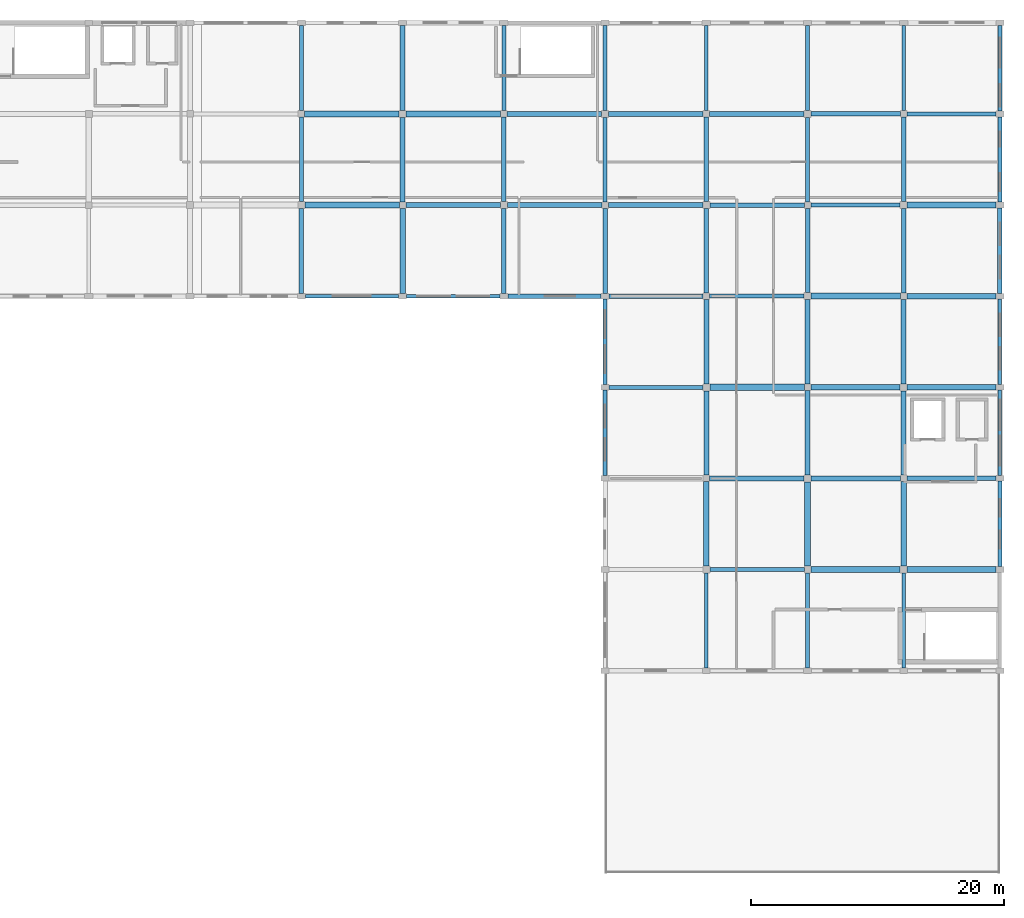
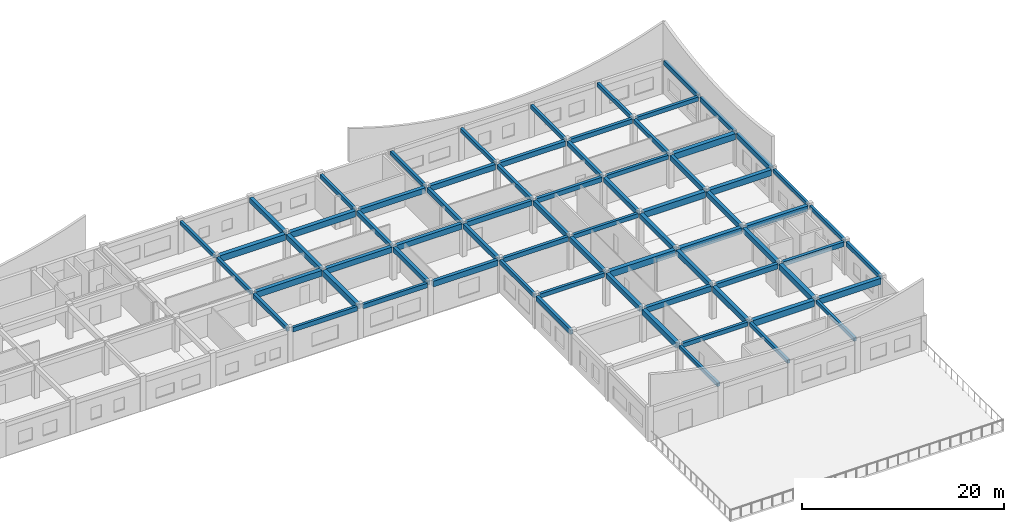
# One storey, part 2 of 10: 72 beams.
"""IFC4 building model written with IfcOpenShell, lengths in metres."""

from ifc_helpers import new_model, si_unit, direction, frame, origin, origin_2d, place, context, subcontext, project, spatial, rectangle, extrude, material, material_profile, profile_set, type_object, element, save


model = new_model("IFC4")

# Units and contexts
model_context = context("Model", 3, precision=1e-05, world=origin(), true_north=direction((0.0, 1.0)))
body_context = subcontext(model_context, "Body", "Model", "MODEL_VIEW")
ifc_project = project(units=[si_unit("LENGTHUNIT", "METRE"), si_unit("AREAUNIT", "SQUARE_METRE"), si_unit("VOLUMEUNIT", "CUBIC_METRE"), si_unit("PLANEANGLEUNIT", "RADIAN"), si_unit("MASSUNIT", "GRAM", prefix="KILO")], contexts=[model_context])

# Site, building, storey
site_placement = place(None, origin())
site = spatial("IfcSite", under=ifc_project, at=site_placement, CompositionType="ELEMENT")
building_placement = place(site_placement, origin())
building = spatial("IfcBuilding", under=site, at=building_placement, Name="Kharva Crest Polytechnic", CompositionType="ELEMENT")
storey_placement = place(building_placement, frame((0.0, 0.0, 25.800048828125)))
storey = spatial("IfcBuildingStorey", under=building, at=storey_placement, Name="L06", CompositionType="ELEMENT", Elevation=25.800048828125)

# Beams
ifc_material = material(Name="Concrete C35/45", Category="concrete")
ifc_material_profile_1 = material_profile(ifc_material, rectangle(XDim=0.300048828125, YDim=0.449951171875, at=origin_2d()), Name="RECT 300 X 450")
ifc_profile_set_1 = profile_set([ifc_material_profile_1], Name="Concrete C35/45")
beam_type_1 = type_object("IfcBeamType", Name="BM-RC-300X450", PredefinedType="BEAM", material=ifc_profile_set_1)
beam_1_placement = place(storey_placement, frame((128.800048828125, 115.06005859375, 3.75), z_axis=(0.0, 1.0, 0.0), x_axis=(-1.0, 0.0, 0.0)))
element("IfcBeam", 1, at=beam_1_placement, inside=storey, type_object=beam_type_1, Name="L06 Girder 17/R-S", PredefinedType="BEAM", context=body_context, shape_type="SweptSolid", body=[
    extrude(rectangle(XDim=0.300048828125, YDim=0.449951171875, at=origin_2d()), origin(), (0.0, 0.0, 1.0), 6.71484375),
])
beam_2_placement = place(storey_placement, frame((160.800048828125, 71.02490234375, 3.75), z_axis=(0.0, 1.0, 0.0), x_axis=(-1.0, 0.0, 0.0)))
element("IfcBeam", 2, at=beam_2_placement, inside=storey, type_object=beam_type_1, Name="L06 Girder 21/K-L", PredefinedType="BEAM", context=body_context, shape_type="SweptSolid", body=[
    extrude(rectangle(XDim=0.300048828125, YDim=0.449951171875, at=origin_2d()), origin(), (0.0, 0.0, 1.0), 7.5),
])
beam_3_placement = place(storey_placement, frame((168.800048828125, 71.02490234375, 3.75), z_axis=(0.0, 1.0, 0.0), x_axis=(-1.0, 0.0, 0.0)))
element("IfcBeam", 3, at=beam_3_placement, inside=storey, type_object=beam_type_1, Name="L06 Girder 22/K-L", PredefinedType="BEAM", context=body_context, shape_type="SweptSolid", body=[
    extrude(rectangle(XDim=0.300048828125, YDim=0.449951171875, at=origin_2d()), origin(), (0.0, 0.0, 1.0), 7.51513671875),
])
beam_4_placement = place(storey_placement, frame((176.39990234375, 71.02490234375, 3.75), z_axis=(0.0, 1.0, 0.0), x_axis=(-1.0, 0.0, 0.0)))
element("IfcBeam", 4, at=beam_4_placement, inside=storey, type_object=beam_type_1, Name="L06 Girder 23/K-L", PredefinedType="BEAM", context=body_context, shape_type="SweptSolid", body=[
    extrude(rectangle(XDim=0.300048828125, YDim=0.449951171875, at=origin_2d()), origin(), (0.0, 0.0, 1.0), 7.5),
])
ifc_material_profile_2 = material_profile(ifc_material, rectangle(XDim=0.300048828125, YDim=0.47998046875, at=origin_2d()), Name="RECT 300 X 480")
ifc_profile_set_2 = profile_set([ifc_material_profile_2], Name="Concrete C35/45")
beam_type_2 = type_object("IfcBeamType", Name="BM-RC-300X480", PredefinedType="BEAM", material=ifc_profile_set_2)
beam_5_placement = place(storey_placement, frame((128.800048828125, 107.875, 3.73486328125), z_axis=(0.0, 1.0, 0.0), x_axis=(-1.0, 0.0, 0.0)))
element("IfcBeam", 5, at=beam_5_placement, inside=storey, type_object=beam_type_2, Name="L06 Girder 17/Q-R", PredefinedType="BEAM", context=body_context, shape_type="SweptSolid", body=[
    extrude(rectangle(XDim=0.300048828125, YDim=0.47998046875, at=origin_2d()), origin(), (0.0, 0.0, 1.0), 6.6650390625),
])
beam_6_placement = place(storey_placement, frame((144.800048828125, 115.06005859375, 3.73486328125), z_axis=(0.0, 1.0, 0.0), x_axis=(-1.0, 0.0, 0.0)))
element("IfcBeam", 6, at=beam_6_placement, inside=storey, type_object=beam_type_2, Name="L06 Girder 19/R-S", PredefinedType="BEAM", context=body_context, shape_type="SweptSolid", body=[
    extrude(rectangle(XDim=0.300048828125, YDim=0.47998046875, at=origin_2d()), origin(), (0.0, 0.0, 1.0), 6.71484375),
])
beam_7_placement = place(storey_placement, frame((152.800048828125, 115.074951171875, 3.73486328125), z_axis=(0.0, 1.0, 0.0), x_axis=(-1.0, 0.0, 0.0)))
element("IfcBeam", 7, at=beam_7_placement, inside=storey, type_object=beam_type_2, Name="L06 Girder 20/R-S", PredefinedType="BEAM", context=body_context, shape_type="SweptSolid", body=[
    extrude(rectangle(XDim=0.300048828125, YDim=0.47998046875, at=origin_2d()), origin(), (0.0, 0.0, 1.0), 6.699951171875),
])
beam_8_placement = place(storey_placement, frame((160.800048828125, 115.06005859375, 3.73486328125), z_axis=(0.0, 1.0, 0.0), x_axis=(-1.0, 0.0, 0.0)))
element("IfcBeam", 8, at=beam_8_placement, inside=storey, type_object=beam_type_2, Name="L06 Girder 21/R-S", PredefinedType="BEAM", context=body_context, shape_type="SweptSolid", body=[
    extrude(rectangle(XDim=0.300048828125, YDim=0.47998046875, at=origin_2d()), origin(), (0.0, 0.0, 1.0), 6.71484375),
])
beam_9_placement = place(storey_placement, frame((168.800048828125, 115.074951171875, 3.73486328125), z_axis=(0.0, 1.0, 0.0), x_axis=(-1.0, 0.0, 0.0)))
element("IfcBeam", 9, at=beam_9_placement, inside=storey, type_object=beam_type_2, Name="L06 Girder 22/R-S", PredefinedType="BEAM", context=body_context, shape_type="SweptSolid", body=[
    extrude(rectangle(XDim=0.300048828125, YDim=0.47998046875, at=origin_2d()), origin(), (0.0, 0.0, 1.0), 6.699951171875),
])
beam_10_placement = place(storey_placement, frame((176.39990234375, 115.06005859375, 3.73486328125), z_axis=(0.0, 1.0, 0.0), x_axis=(-1.0, 0.0, 0.0)))
element("IfcBeam", 10, at=beam_10_placement, inside=storey, type_object=beam_type_2, Name="L06 Girder 23/R-S", PredefinedType="BEAM", context=body_context, shape_type="SweptSolid", body=[
    extrude(rectangle(XDim=0.300048828125, YDim=0.47998046875, at=origin_2d()), origin(), (0.0, 0.0, 1.0), 6.71484375),
])
ifc_material_profile_3 = material_profile(ifc_material, rectangle(XDim=0.320068359375, YDim=0.5, at=origin_2d()), Name="RECT 320 X 500")
ifc_profile_set_3 = profile_set([ifc_material_profile_3], Name="Concrete C35/45")
beam_type_3 = type_object("IfcBeamType", Name="BM-RC-320X500", PredefinedType="BEAM", material=ifc_profile_set_3)
beam_11_placement = place(storey_placement, frame((161.074951171875, 78.800048828125, 3.724853515625), z_axis=(1.0, 0.0, 0.0), x_axis=(0.0, 1.0, 0.0)))
element("IfcBeam", 11, at=beam_11_placement, inside=storey, type_object=beam_type_3, Name="L06 Beam L/21-22", PredefinedType="BEAM", context=body_context, shape_type="SweptSolid", body=[
    extrude(rectangle(XDim=0.320068359375, YDim=0.5, at=origin_2d()), origin(), (0.0, 0.0, 1.0), 7.465087890625),
])
beam_12_placement = place(storey_placement, frame((153.110107421875, 93.199951171875, 3.724853515625), z_axis=(1.0, 0.0, 0.0), x_axis=(0.0, 1.0, 0.0)))
element("IfcBeam", 12, at=beam_12_placement, inside=storey, type_object=beam_type_3, Name="L06 Beam N/20-21", PredefinedType="BEAM", context=body_context, shape_type="SweptSolid", body=[
    extrude(rectangle(XDim=0.320068359375, YDim=0.5, at=origin_2d()), origin(), (0.0, 0.0, 1.0), 7.414794921875),
])
beam_13_placement = place(storey_placement, frame((161.06005859375, 100.39990234375, 3.724853515625), z_axis=(1.0, 0.0, 0.0), x_axis=(0.0, 1.0, 0.0)))
element("IfcBeam", 13, at=beam_13_placement, inside=storey, type_object=beam_type_3, Name="L06 Beam P/21-22", PredefinedType="BEAM", context=body_context, shape_type="SweptSolid", body=[
    extrude(rectangle(XDim=0.320068359375, YDim=0.5, at=origin_2d()), origin(), (0.0, 0.0, 1.0), 7.46484375),
])
beam_14_placement = place(storey_placement, frame((169.06005859375, 107.60009765625, 3.724853515625), z_axis=(1.0, 0.0, 0.0), x_axis=(0.0, 1.0, 0.0)))
element("IfcBeam", 14, at=beam_14_placement, inside=storey, type_object=beam_type_3, Name="L06 Beam Q/22-23", PredefinedType="BEAM", context=body_context, shape_type="SweptSolid", body=[
    extrude(rectangle(XDim=0.320068359375, YDim=0.5, at=origin_2d()), origin(), (0.0, 0.0, 1.0), 7.06494140625),
])
beam_15_placement = place(storey_placement, frame((176.659912109375, 114.800048828125, 3.724853515625), z_axis=(1.0, 0.0, 0.0), x_axis=(0.0, 1.0, 0.0)))
element("IfcBeam", 15, at=beam_15_placement, inside=storey, type_object=beam_type_3, Name="L06 Beam R/23-24", PredefinedType="BEAM", context=body_context, shape_type="SweptSolid", body=[
    extrude(rectangle(XDim=0.320068359375, YDim=0.5, at=origin_2d()), origin(), (0.0, 0.0, 1.0), 7.01513671875),
])
ifc_material_profile_4 = material_profile(ifc_material, rectangle(XDim=0.340087890625, YDim=0.52001953125, at=origin_2d()), Name="RECT 340 X 520")
ifc_profile_set_4 = profile_set([ifc_material_profile_4], Name="Concrete C35/45")
beam_type_4 = type_object("IfcBeamType", Name="BM-RC-340X520", PredefinedType="BEAM", material=ifc_profile_set_4)
beam_16_placement = place(storey_placement, frame((128.800048828125, 100.625, 3.71484375), z_axis=(0.0, 1.0, 0.0), x_axis=(-1.0, 0.0, 0.0)))
element("IfcBeam", 16, at=beam_16_placement, inside=storey, type_object=beam_type_4, Name="L06 Girder 17/P-Q", PredefinedType="BEAM", context=body_context, shape_type="SweptSolid", body=[
    extrude(rectangle(XDim=0.340087890625, YDim=0.52001953125, at=origin_2d()), origin(), (0.0, 0.0, 1.0), 6.699951171875),
])
beam_17_placement = place(storey_placement, frame((144.800048828125, 107.875, 3.71484375), z_axis=(0.0, 1.0, 0.0), x_axis=(-1.0, 0.0, 0.0)))
element("IfcBeam", 17, at=beam_17_placement, inside=storey, type_object=beam_type_4, Name="L06 Girder 19/Q-R", PredefinedType="BEAM", context=body_context, shape_type="SweptSolid", body=[
    extrude(rectangle(XDim=0.340087890625, YDim=0.52001953125, at=origin_2d()), origin(), (0.0, 0.0, 1.0), 6.6650390625),
])
beam_18_placement = place(storey_placement, frame((152.800048828125, 107.860107421875, 3.71484375), z_axis=(0.0, 1.0, 0.0), x_axis=(-1.0, 0.0, 0.0)))
element("IfcBeam", 18, at=beam_18_placement, inside=storey, type_object=beam_type_4, Name="L06 Girder 20/Q-R", PredefinedType="BEAM", context=body_context, shape_type="SweptSolid", body=[
    extrude(rectangle(XDim=0.340087890625, YDim=0.52001953125, at=origin_2d()), origin(), (0.0, 0.0, 1.0), 6.664794921875),
])
beam_19_placement = place(storey_placement, frame((160.800048828125, 107.875, 3.71484375), z_axis=(0.0, 1.0, 0.0), x_axis=(-1.0, 0.0, 0.0)))
element("IfcBeam", 19, at=beam_19_placement, inside=storey, type_object=beam_type_4, Name="L06 Girder 21/Q-R", PredefinedType="BEAM", context=body_context, shape_type="SweptSolid", body=[
    extrude(rectangle(XDim=0.340087890625, YDim=0.52001953125, at=origin_2d()), origin(), (0.0, 0.0, 1.0), 6.6650390625),
])
beam_20_placement = place(storey_placement, frame((168.800048828125, 107.860107421875, 3.71484375), z_axis=(0.0, 1.0, 0.0), x_axis=(-1.0, 0.0, 0.0)))
element("IfcBeam", 20, at=beam_20_placement, inside=storey, type_object=beam_type_4, Name="L06 Girder 22/Q-R", PredefinedType="BEAM", context=body_context, shape_type="SweptSolid", body=[
    extrude(rectangle(XDim=0.340087890625, YDim=0.52001953125, at=origin_2d()), origin(), (0.0, 0.0, 1.0), 6.664794921875),
])
beam_21_placement = place(storey_placement, frame((176.39990234375, 107.875, 3.71484375), z_axis=(0.0, 1.0, 0.0), x_axis=(-1.0, 0.0, 0.0)))
element("IfcBeam", 21, at=beam_21_placement, inside=storey, type_object=beam_type_4, Name="L06 Girder 23/Q-R", PredefinedType="BEAM", context=body_context, shape_type="SweptSolid", body=[
    extrude(rectangle(XDim=0.340087890625, YDim=0.52001953125, at=origin_2d()), origin(), (0.0, 0.0, 1.0), 6.6650390625),
])
ifc_material_profile_5 = material_profile(ifc_material, rectangle(XDim=0.35009765625, YDim=0.550048828125, at=origin_2d()), Name="RECT 350 X 550")
ifc_profile_set_5 = profile_set([ifc_material_profile_5], Name="Concrete C35/45")
beam_type_5 = type_object("IfcBeamType", Name="BM-RC-350X550", PredefinedType="BEAM", material=ifc_profile_set_5)
beam_22_placement = place(storey_placement, frame((176.659912109375, 86.0, 3.699951171875), z_axis=(1.0, 0.0, 0.0), x_axis=(0.0, 1.0, 0.0)))
element("IfcBeam", 22, at=beam_22_placement, inside=storey, type_object=beam_type_5, Name="L06 Beam M/23-24", PredefinedType="BEAM", context=body_context, shape_type="SweptSolid", body=[
    extrude(rectangle(XDim=0.35009765625, YDim=0.550048828125, at=origin_2d()), origin(), (0.0, 0.0, 1.0), 7.01513671875),
])
beam_23_placement = place(storey_placement, frame((153.125, 100.39990234375, 3.699951171875), z_axis=(1.0, 0.0, 0.0), x_axis=(0.0, 1.0, 0.0)))
element("IfcBeam", 23, at=beam_23_placement, inside=storey, type_object=beam_type_5, Name="L06 Beam P/20-21", PredefinedType="BEAM", context=body_context, shape_type="SweptSolid", body=[
    extrude(rectangle(XDim=0.35009765625, YDim=0.550048828125, at=origin_2d()), origin(), (0.0, 0.0, 1.0), 7.4150390625),
])
beam_24_placement = place(storey_placement, frame((161.074951171875, 107.60009765625, 3.699951171875), z_axis=(1.0, 0.0, 0.0), x_axis=(0.0, 1.0, 0.0)))
element("IfcBeam", 24, at=beam_24_placement, inside=storey, type_object=beam_type_5, Name="L06 Beam Q/21-22", PredefinedType="BEAM", context=body_context, shape_type="SweptSolid", body=[
    extrude(rectangle(XDim=0.35009765625, YDim=0.550048828125, at=origin_2d()), origin(), (0.0, 0.0, 1.0), 7.465087890625),
])
beam_25_placement = place(storey_placement, frame((169.074951171875, 114.800048828125, 3.699951171875), z_axis=(1.0, 0.0, 0.0), x_axis=(0.0, 1.0, 0.0)))
element("IfcBeam", 25, at=beam_25_placement, inside=storey, type_object=beam_type_5, Name="L06 Beam R/22-23", PredefinedType="BEAM", context=body_context, shape_type="SweptSolid", body=[
    extrude(rectangle(XDim=0.35009765625, YDim=0.550048828125, at=origin_2d()), origin(), (0.0, 0.0, 1.0), 7.06494140625),
])
ifc_material_profile_6 = material_profile(ifc_material, rectangle(XDim=0.360107421875, YDim=0.580078125, at=origin_2d()), Name="RECT 360 X 580")
ifc_profile_set_6 = profile_set([ifc_material_profile_6], Name="Concrete C35/45")
beam_type_6 = type_object("IfcBeamType", Name="BM-RC-360X580", PredefinedType="BEAM", material=ifc_profile_set_6)
beam_26_placement = place(storey_placement, frame((144.800048828125, 100.625, 3.68505859375), z_axis=(0.0, 1.0, 0.0), x_axis=(-1.0, 0.0, 0.0)))
element("IfcBeam", 26, at=beam_26_placement, inside=storey, type_object=beam_type_6, Name="L06 Girder 19/P-Q", PredefinedType="BEAM", context=body_context, shape_type="SweptSolid", body=[
    extrude(rectangle(XDim=0.360107421875, YDim=0.580078125, at=origin_2d()), origin(), (0.0, 0.0, 1.0), 6.699951171875),
])
beam_27_placement = place(storey_placement, frame((152.800048828125, 100.625, 3.68505859375), z_axis=(0.0, 1.0, 0.0), x_axis=(-1.0, 0.0, 0.0)))
element("IfcBeam", 27, at=beam_27_placement, inside=storey, type_object=beam_type_6, Name="L06 Girder 20/P-Q", PredefinedType="BEAM", context=body_context, shape_type="SweptSolid", body=[
    extrude(rectangle(XDim=0.360107421875, YDim=0.580078125, at=origin_2d()), origin(), (0.0, 0.0, 1.0), 6.715087890625),
])
for number, where, z_axis, x_axis, name in (
    (28, (160.800048828125, 100.659912109375, 3.68505859375), (0.0, 1.0, 0.0), (-1.0, 0.0, 0.0), "L06 Girder 21/P-Q"),
    (29, (168.800048828125, 100.675048828125, 3.68505859375), (0.0, 1.0, 0.0), (-1.0, 0.0, 0.0), "L06 Girder 22/P-Q"),
    (30, (176.39990234375, 100.659912109375, 3.68505859375), (0.0, 1.0, 0.0), (-1.0, 0.0, 0.0), "L06 Girder 23/P-Q"),
):
    element("IfcBeam", number, at=place(storey_placement, frame(where, z_axis=z_axis, x_axis=x_axis)), inside=storey, type_object=beam_type_6, Name=name, PredefinedType="BEAM", context=body_context, shape_type="SweptSolid", body=[
        extrude(rectangle(XDim=0.360107421875, YDim=0.580078125, at=origin_2d()), origin(), (0.0, 0.0, 1.0), 6.6650390625),
    ])
ifc_material_profile_7 = material_profile(ifc_material, rectangle(XDim=0.3798828125, YDim=0.60009765625, at=origin_2d()), Name="RECT 380 X 600")
ifc_profile_set_7 = profile_set([ifc_material_profile_7], Name="Concrete C35/45")
beam_type_7 = type_object("IfcBeamType", Name="BM-RC-380X600", PredefinedType="BEAM", material=ifc_profile_set_7)
beam_28_placement = place(storey_placement, frame((169.074951171875, 86.0, 3.675048828125), z_axis=(1.0, 0.0, 0.0), x_axis=(0.0, 1.0, 0.0)))
element("IfcBeam", 31, at=beam_28_placement, inside=storey, type_object=beam_type_7, Name="L06 Beam M/22-23", PredefinedType="BEAM", context=body_context, shape_type="SweptSolid", body=[
    extrude(rectangle(XDim=0.3798828125, YDim=0.60009765625, at=origin_2d()), origin(), (0.0, 0.0, 1.0), 7.06494140625),
])
for number, where, z_axis, x_axis, name in (
    (32, (153.06005859375, 107.60009765625, 3.675048828125), (1.0, 0.0, 0.0), (0.0, 1.0, 0.0), "L06 Beam Q/20-21"),
    (33, (161.06005859375, 114.800048828125, 3.675048828125), (1.0, 0.0, 0.0), (0.0, 1.0, 0.0), "L06 Beam R/21-22"),
):
    element("IfcBeam", number, at=place(storey_placement, frame(where, z_axis=z_axis, x_axis=x_axis)), inside=storey, type_object=beam_type_7, Name=name, PredefinedType="BEAM", context=body_context, shape_type="SweptSolid", body=[
        extrude(rectangle(XDim=0.3798828125, YDim=0.60009765625, at=origin_2d()), origin(), (0.0, 0.0, 1.0), 7.46484375),
    ])
ifc_material_profile_8 = material_profile(ifc_material, rectangle(XDim=0.39990234375, YDim=0.580078125, at=origin_2d()), Name="RECT 400 X 580")
ifc_profile_set_8 = profile_set([ifc_material_profile_8], Name="Concrete C35/45")
beam_type_8 = type_object("IfcBeamType", Name="BM-RC-400X580", PredefinedType="BEAM", material=ifc_profile_set_8)
beam_29_placement = place(storey_placement, frame((136.800048828125, 115.074951171875, 3.68505859375), z_axis=(0.0, 1.0, 0.0), x_axis=(-1.0, 0.0, 0.0)))
element("IfcBeam", 34, at=beam_29_placement, inside=storey, type_object=beam_type_8, Name="L06 Girder 18/R-S", PredefinedType="BEAM", context=body_context, shape_type="SweptSolid", body=[
    extrude(rectangle(XDim=0.39990234375, YDim=0.580078125, at=origin_2d()), origin(), (0.0, 0.0, 1.0), 6.699951171875),
])
beam_30_placement = place(storey_placement, frame((160.800048828125, 93.47509765625, 3.68505859375), z_axis=(0.0, 1.0, 0.0), x_axis=(-1.0, 0.0, 0.0)))
element("IfcBeam", 35, at=beam_30_placement, inside=storey, type_object=beam_type_8, Name="L06 Girder 21/N-P", PredefinedType="BEAM", context=body_context, shape_type="SweptSolid", body=[
    extrude(rectangle(XDim=0.39990234375, YDim=0.580078125, at=origin_2d()), origin(), (0.0, 0.0, 1.0), 6.664794921875),
])
beam_31_placement = place(storey_placement, frame((168.800048828125, 93.4599609375, 3.68505859375), z_axis=(0.0, 1.0, 0.0), x_axis=(-1.0, 0.0, 0.0)))
element("IfcBeam", 36, at=beam_31_placement, inside=storey, type_object=beam_type_8, Name="L06 Girder 22/N-P", PredefinedType="BEAM", context=body_context, shape_type="SweptSolid", body=[
    extrude(rectangle(XDim=0.39990234375, YDim=0.580078125, at=origin_2d()), origin(), (0.0, 0.0, 1.0), 6.6650390625),
])
beam_32_placement = place(storey_placement, frame((176.39990234375, 93.47509765625, 3.68505859375), z_axis=(0.0, 1.0, 0.0), x_axis=(-1.0, 0.0, 0.0)))
element("IfcBeam", 37, at=beam_32_placement, inside=storey, type_object=beam_type_8, Name="L06 Girder 23/N-P", PredefinedType="BEAM", context=body_context, shape_type="SweptSolid", body=[
    extrude(rectangle(XDim=0.39990234375, YDim=0.580078125, at=origin_2d()), origin(), (0.0, 0.0, 1.0), 6.664794921875),
])
ifc_material_profile_9 = material_profile(ifc_material, rectangle(XDim=0.39990234375, YDim=0.6201171875, at=origin_2d()), Name="RECT 400 X 620")
ifc_profile_set_9 = profile_set([ifc_material_profile_9], Name="Concrete C35/45")
beam_type_9 = type_object("IfcBeamType", Name="BM-RC-400X620", PredefinedType="BEAM", material=ifc_profile_set_9)
beam_33_placement = place(storey_placement, frame((136.800048828125, 107.860107421875, 3.6650390625), z_axis=(0.0, 1.0, 0.0), x_axis=(-1.0, 0.0, 0.0)))
element("IfcBeam", 38, at=beam_33_placement, inside=storey, type_object=beam_type_9, Name="L06 Girder 18/Q-R", PredefinedType="BEAM", context=body_context, shape_type="SweptSolid", body=[
    extrude(rectangle(XDim=0.39990234375, YDim=0.6201171875, at=origin_2d()), origin(), (0.0, 0.0, 1.0), 6.664794921875),
])
for number, where, z_axis, x_axis, name in (
    (39, (160.800048828125, 86.260009765625, 3.6650390625), (0.0, 1.0, 0.0), (-1.0, 0.0, 0.0), "L06 Girder 21/M-N"),
    (40, (168.800048828125, 86.27490234375, 3.6650390625), (0.0, 1.0, 0.0), (-1.0, 0.0, 0.0), "L06 Girder 22/M-N"),
    (41, (176.39990234375, 86.260009765625, 3.6650390625), (0.0, 1.0, 0.0), (-1.0, 0.0, 0.0), "L06 Girder 23/M-N"),
):
    element("IfcBeam", number, at=place(storey_placement, frame(where, z_axis=z_axis, x_axis=x_axis)), inside=storey, type_object=beam_type_9, Name=name, PredefinedType="BEAM", context=body_context, shape_type="SweptSolid", body=[
        extrude(rectangle(XDim=0.39990234375, YDim=0.6201171875, at=origin_2d()), origin(), (0.0, 0.0, 1.0), 6.6650390625),
    ])
ifc_material_profile_10 = material_profile(ifc_material, rectangle(XDim=0.39990234375, YDim=0.64990234375, at=origin_2d()), Name="RECT 400 X 650")
ifc_profile_set_10 = profile_set([ifc_material_profile_10], Name="Concrete C35/45")
beam_type_10 = type_object("IfcBeamType", Name="BM-RC-400X650", PredefinedType="BEAM", material=ifc_profile_set_10)
beam_34_placement = place(storey_placement, frame((161.06005859375, 86.0, 3.64990234375), z_axis=(1.0, 0.0, 0.0), x_axis=(0.0, 1.0, 0.0)))
element("IfcBeam", 42, at=beam_34_placement, inside=storey, type_object=beam_type_10, Name="L06 Beam M/21-22", PredefinedType="BEAM", context=body_context, shape_type="SweptSolid", body=[
    extrude(rectangle(XDim=0.39990234375, YDim=0.64990234375, at=origin_2d()), origin(), (0.0, 0.0, 1.0), 7.46484375),
])
for number, where, z_axis, x_axis, name in (
    (43, (145.074951171875, 107.60009765625, 3.64990234375), (1.0, 0.0, 0.0), (0.0, 1.0, 0.0), "L06 Beam Q/19-20"),
    (44, (153.074951171875, 114.800048828125, 3.64990234375), (1.0, 0.0, 0.0), (0.0, 1.0, 0.0), "L06 Beam R/20-21"),
):
    element("IfcBeam", number, at=place(storey_placement, frame(where, z_axis=z_axis, x_axis=x_axis)), inside=storey, type_object=beam_type_10, Name=name, PredefinedType="BEAM", context=body_context, shape_type="SweptSolid", body=[
        extrude(rectangle(XDim=0.39990234375, YDim=0.64990234375, at=origin_2d()), origin(), (0.0, 0.0, 1.0), 7.465087890625),
    ])
ifc_material_profile_11 = material_profile(ifc_material, rectangle(XDim=0.419921875, YDim=0.659912109375, at=origin_2d()), Name="RECT 420 X 660")
ifc_profile_set_11 = profile_set([ifc_material_profile_11], Name="Concrete C35/45")
beam_type_11 = type_object("IfcBeamType", Name="BM-RC-420X660", PredefinedType="BEAM", material=ifc_profile_set_11)
beam_35_placement = place(storey_placement, frame((176.675048828125, 93.199951171875, 3.64501953125), z_axis=(1.0, 0.0, 0.0), x_axis=(0.0, 1.0, 0.0)))
element("IfcBeam", 45, at=beam_35_placement, inside=storey, type_object=beam_type_11, Name="L06 Beam N/23-24", PredefinedType="BEAM", context=body_context, shape_type="SweptSolid", body=[
    extrude(rectangle(XDim=0.419921875, YDim=0.659912109375, at=origin_2d()), origin(), (0.0, 0.0, 1.0), 7.014892578125),
])
for number, where, z_axis, x_axis, name in (
    (46, (137.06005859375, 107.60009765625, 3.64501953125), (1.0, 0.0, 0.0), (0.0, 1.0, 0.0), "L06 Beam Q/18-19"),
    (47, (145.06005859375, 114.800048828125, 3.64501953125), (1.0, 0.0, 0.0), (0.0, 1.0, 0.0), "L06 Beam R/19-20"),
):
    element("IfcBeam", number, at=place(storey_placement, frame(where, z_axis=z_axis, x_axis=x_axis)), inside=storey, type_object=beam_type_11, Name=name, PredefinedType="BEAM", context=body_context, shape_type="SweptSolid", body=[
        extrude(rectangle(XDim=0.419921875, YDim=0.659912109375, at=origin_2d()), origin(), (0.0, 0.0, 1.0), 7.46484375),
    ])
ifc_material_profile_12 = material_profile(ifc_material, rectangle(XDim=0.449951171875, YDim=0.679931640625, at=origin_2d()), Name="RECT 450 X 680")
ifc_profile_set_12 = profile_set([ifc_material_profile_12], Name="Concrete C35/45")
beam_type_12 = type_object("IfcBeamType", Name="BM-RC-450X680", PredefinedType="BEAM", material=ifc_profile_set_12)
beam_36_placement = place(storey_placement, frame((136.800048828125, 100.625, 3.635009765625), z_axis=(0.0, 1.0, 0.0), x_axis=(-1.0, 0.0, 0.0)))
element("IfcBeam", 48, at=beam_36_placement, inside=storey, type_object=beam_type_12, Name="L06 Girder 18/P-Q", PredefinedType="BEAM", context=body_context, shape_type="SweptSolid", body=[
    extrude(rectangle(XDim=0.449951171875, YDim=0.679931640625, at=origin_2d()), origin(), (0.0, 0.0, 1.0), 6.715087890625),
])
for number, where, z_axis, x_axis, name in (
    (49, (160.800048828125, 79.074951171875, 3.635009765625), (0.0, 1.0, 0.0), (-1.0, 0.0, 0.0), "L06 Girder 21/L-M"),
    (50, (168.800048828125, 79.06005859375, 3.635009765625), (0.0, 1.0, 0.0), (-1.0, 0.0, 0.0), "L06 Girder 22/L-M"),
    (51, (176.39990234375, 79.074951171875, 3.635009765625), (0.0, 1.0, 0.0), (-1.0, 0.0, 0.0), "L06 Girder 23/L-M"),
):
    element("IfcBeam", number, at=place(storey_placement, frame(where, z_axis=z_axis, x_axis=x_axis)), inside=storey, type_object=beam_type_12, Name=name, PredefinedType="BEAM", context=body_context, shape_type="SweptSolid", body=[
        extrude(rectangle(XDim=0.449951171875, YDim=0.679931640625, at=origin_2d()), origin(), (0.0, 0.0, 1.0), 6.6650390625),
    ])
ifc_material_profile_13 = material_profile(ifc_material, rectangle(XDim=0.449951171875, YDim=0.719970703125, at=origin_2d()), Name="RECT 450 X 720")
ifc_profile_set_13 = profile_set([ifc_material_profile_13], Name="Concrete C35/45")
beam_type_13 = type_object("IfcBeamType", Name="BM-RC-450X720", PredefinedType="BEAM", material=ifc_profile_set_13)
beam_37_placement = place(storey_placement, frame((176.675048828125, 78.800048828125, 3.614990234375), z_axis=(1.0, 0.0, 0.0), x_axis=(0.0, 1.0, 0.0)))
element("IfcBeam", 52, at=beam_37_placement, inside=storey, type_object=beam_type_13, Name="L06 Beam L/23-24", PredefinedType="BEAM", context=body_context, shape_type="SweptSolid", body=[
    extrude(rectangle(XDim=0.449951171875, YDim=0.719970703125, at=origin_2d()), origin(), (0.0, 0.0, 1.0), 7.014892578125),
])
beam_38_placement = place(storey_placement, frame((169.06005859375, 93.199951171875, 3.614990234375), z_axis=(1.0, 0.0, 0.0), x_axis=(0.0, 1.0, 0.0)))
element("IfcBeam", 53, at=beam_38_placement, inside=storey, type_object=beam_type_13, Name="L06 Beam N/22-23", PredefinedType="BEAM", context=body_context, shape_type="SweptSolid", body=[
    extrude(rectangle(XDim=0.449951171875, YDim=0.719970703125, at=origin_2d()), origin(), (0.0, 0.0, 1.0), 7.06494140625),
])
beam_39_placement = place(storey_placement, frame((176.659912109375, 100.39990234375, 3.614990234375), z_axis=(1.0, 0.0, 0.0), x_axis=(0.0, 1.0, 0.0)))
element("IfcBeam", 54, at=beam_39_placement, inside=storey, type_object=beam_type_13, Name="L06 Beam P/23-24", PredefinedType="BEAM", context=body_context, shape_type="SweptSolid", body=[
    extrude(rectangle(XDim=0.449951171875, YDim=0.719970703125, at=origin_2d()), origin(), (0.0, 0.0, 1.0), 7.01513671875),
])
for number, where, z_axis, x_axis, name in (
    (55, (129.074951171875, 107.60009765625, 3.614990234375), (1.0, 0.0, 0.0), (0.0, 1.0, 0.0), "L06 Beam Q/17-18"),
    (56, (137.074951171875, 114.800048828125, 3.614990234375), (1.0, 0.0, 0.0), (0.0, 1.0, 0.0), "L06 Beam R/18-19"),
):
    element("IfcBeam", number, at=place(storey_placement, frame(where, z_axis=z_axis, x_axis=x_axis)), inside=storey, type_object=beam_type_13, Name=name, PredefinedType="BEAM", context=body_context, shape_type="SweptSolid", body=[
        extrude(rectangle(XDim=0.449951171875, YDim=0.719970703125, at=origin_2d()), origin(), (0.0, 0.0, 1.0), 7.465087890625),
    ])
ifc_material_profile_14 = material_profile(ifc_material, rectangle(XDim=0.47998046875, YDim=0.75, at=origin_2d()), Name="RECT 480 X 750")
ifc_profile_set_14 = profile_set([ifc_material_profile_14], Name="Concrete C35/45")
beam_type_14 = type_object("IfcBeamType", Name="BM-RC-480X750", PredefinedType="BEAM", material=ifc_profile_set_14)
beam_40_placement = place(storey_placement, frame((169.06005859375, 78.800048828125, 3.599853515625), z_axis=(1.0, 0.0, 0.0), x_axis=(0.0, 1.0, 0.0)))
element("IfcBeam", 57, at=beam_40_placement, inside=storey, type_object=beam_type_14, Name="L06 Beam L/22-23", PredefinedType="BEAM", context=body_context, shape_type="SweptSolid", body=[
    extrude(rectangle(XDim=0.47998046875, YDim=0.75, at=origin_2d()), origin(), (0.0, 0.0, 1.0), 7.06494140625),
])
beam_41_placement = place(storey_placement, frame((161.074951171875, 93.199951171875, 3.599853515625), z_axis=(1.0, 0.0, 0.0), x_axis=(0.0, 1.0, 0.0)))
element("IfcBeam", 58, at=beam_41_placement, inside=storey, type_object=beam_type_14, Name="L06 Beam N/21-22", PredefinedType="BEAM", context=body_context, shape_type="SweptSolid", body=[
    extrude(rectangle(XDim=0.47998046875, YDim=0.75, at=origin_2d()), origin(), (0.0, 0.0, 1.0), 7.465087890625),
])
beam_42_placement = place(storey_placement, frame((169.074951171875, 100.39990234375, 3.599853515625), z_axis=(1.0, 0.0, 0.0), x_axis=(0.0, 1.0, 0.0)))
element("IfcBeam", 59, at=beam_42_placement, inside=storey, type_object=beam_type_14, Name="L06 Beam P/22-23", PredefinedType="BEAM", context=body_context, shape_type="SweptSolid", body=[
    extrude(rectangle(XDim=0.47998046875, YDim=0.75, at=origin_2d()), origin(), (0.0, 0.0, 1.0), 7.06494140625),
])
beam_43_placement = place(storey_placement, frame((176.675048828125, 107.60009765625, 3.599853515625), z_axis=(1.0, 0.0, 0.0), x_axis=(0.0, 1.0, 0.0)))
element("IfcBeam", 60, at=beam_43_placement, inside=storey, type_object=beam_type_14, Name="L06 Beam Q/23-24", PredefinedType="BEAM", context=body_context, shape_type="SweptSolid", body=[
    extrude(rectangle(XDim=0.47998046875, YDim=0.75, at=origin_2d()), origin(), (0.0, 0.0, 1.0), 7.014892578125),
])
beam_44_placement = place(storey_placement, frame((129.06005859375, 114.800048828125, 3.599853515625), z_axis=(1.0, 0.0, 0.0), x_axis=(0.0, 1.0, 0.0)))
element("IfcBeam", 61, at=beam_44_placement, inside=storey, type_object=beam_type_14, Name="L06 Beam R/17-18", PredefinedType="BEAM", context=body_context, shape_type="SweptSolid", body=[
    extrude(rectangle(XDim=0.47998046875, YDim=0.75, at=origin_2d()), origin(), (0.0, 0.0, 1.0), 7.46484375),
])
ifc_material_profile_15 = material_profile(ifc_material, rectangle(XDim=0.260009765625, YDim=0.43994140625, at=origin_2d()), Name="RECT 260 X 440")
ifc_profile_set_15 = profile_set([ifc_material_profile_15], Name="Concrete C35/45")
beam_type_15 = type_object("IfcBeamType", Name="SP-RC-260X440", PredefinedType="SPANDREL", material=ifc_profile_set_15)
beam_45_placement = place(storey_placement, frame((184.0, 93.425048828125, 3.7548828125), z_axis=(0.0, 1.0, 0.0), x_axis=(-1.0, 0.0, 0.0)))
element("IfcBeam", 62, at=beam_45_placement, inside=storey, type_object=beam_type_15, Name="L06 Girder 24/N-P", PredefinedType="SPANDREL", context=body_context, shape_type="SweptSolid", body=[
    extrude(rectangle(XDim=0.260009765625, YDim=0.43994140625, at=origin_2d()), origin(), (0.0, 0.0, 1.0), 6.75),
])
ifc_material_profile_16 = material_profile(ifc_material, rectangle(XDim=0.280029296875, YDim=0.4599609375, at=origin_2d()), Name="RECT 280 X 460")
ifc_profile_set_16 = profile_set([ifc_material_profile_16], Name="Concrete C35/45")
beam_type_16 = type_object("IfcBeamType", Name="SP-RC-280X460", PredefinedType="SPANDREL", material=ifc_profile_set_16)
beam_46_placement = place(storey_placement, frame((184.0, 86.22509765625, 3.744873046875), z_axis=(0.0, 1.0, 0.0), x_axis=(-1.0, 0.0, 0.0)))
element("IfcBeam", 63, at=beam_46_placement, inside=storey, type_object=beam_type_16, Name="L06 Girder 24/M-N", PredefinedType="SPANDREL", context=body_context, shape_type="SweptSolid", body=[
    extrude(rectangle(XDim=0.280029296875, YDim=0.4599609375, at=origin_2d()), origin(), (0.0, 0.0, 1.0), 6.75),
])
ifc_material_profile_17 = material_profile(ifc_material, rectangle(XDim=0.300048828125, YDim=0.52001953125, at=origin_2d()), Name="RECT 300 X 520")
ifc_profile_set_17 = profile_set([ifc_material_profile_17], Name="Concrete C35/45")
beam_type_17 = type_object("IfcBeamType", Name="SP-RC-300X520", PredefinedType="SPANDREL", material=ifc_profile_set_17)
for number, where, z_axis, x_axis, name in (
    (64, (152.800048828125, 93.425048828125, 3.71484375), (0.0, 1.0, 0.0), (-1.0, 0.0, 0.0), "L06 Girder 20/N-P"),
    (65, (184.0, 79.02490234375, 3.71484375), (0.0, 1.0, 0.0), (-1.0, 0.0, 0.0), "L06 Girder 24/L-M"),
    (66, (184.0, 115.02490234375, 3.71484375), (0.0, 1.0, 0.0), (-1.0, 0.0, 0.0), "L06 Girder 24/R-S"),
):
    element("IfcBeam", number, at=place(storey_placement, frame(where, z_axis=z_axis, x_axis=x_axis)), inside=storey, type_object=beam_type_17, Name=name, PredefinedType="SPANDREL", context=body_context, shape_type="SweptSolid", body=[
        extrude(rectangle(XDim=0.300048828125, YDim=0.52001953125, at=origin_2d()), origin(), (0.0, 0.0, 1.0), 6.75),
    ])
ifc_material_profile_18 = material_profile(ifc_material, rectangle(XDim=0.300048828125, YDim=0.550048828125, at=origin_2d()), Name="RECT 300 X 550")
ifc_profile_set_18 = profile_set([ifc_material_profile_18], Name="Concrete C35/45")
beam_type_18 = type_object("IfcBeamType", Name="SP-RC-300X550", PredefinedType="SPANDREL", material=ifc_profile_set_18)
for number, where, z_axis, x_axis, name in (
    (67, (129.110107421875, 100.39990234375, 3.699951171875), (1.0, 0.0, 0.0), (0.0, 1.0, 0.0), "L06 Beam P/17-18"),
    (68, (137.125, 100.39990234375, 3.699951171875), (1.0, 0.0, 0.0), (0.0, 1.0, 0.0), "L06 Beam P/18-19"),
):
    element("IfcBeam", number, at=place(storey_placement, frame(where, z_axis=z_axis, x_axis=x_axis)), inside=storey, type_object=beam_type_18, Name=name, PredefinedType="SPANDREL", context=body_context, shape_type="SweptSolid", body=[
        extrude(rectangle(XDim=0.300048828125, YDim=0.550048828125, at=origin_2d()), origin(), (0.0, 0.0, 1.0), 7.364990234375),
    ])
ifc_material_profile_19 = material_profile(ifc_material, rectangle(XDim=0.320068359375, YDim=0.580078125, at=origin_2d()), Name="RECT 320 X 580")
ifc_profile_set_19 = profile_set([ifc_material_profile_19], Name="Concrete C35/45")
beam_type_19 = type_object("IfcBeamType", Name="SP-RC-320X580", PredefinedType="SPANDREL", material=ifc_profile_set_19)
for number, where, z_axis, x_axis, name in (
    (69, (152.800048828125, 86.22509765625, 3.68505859375), (0.0, 1.0, 0.0), (-1.0, 0.0, 0.0), "L06 Girder 20/M-N"),
    (70, (184.0, 107.824951171875, 3.68505859375), (0.0, 1.0, 0.0), (-1.0, 0.0, 0.0), "L06 Girder 24/Q-R"),
):
    element("IfcBeam", number, at=place(storey_placement, frame(where, z_axis=z_axis, x_axis=x_axis)), inside=storey, type_object=beam_type_19, Name=name, PredefinedType="SPANDREL", context=body_context, shape_type="SweptSolid", body=[
        extrude(rectangle(XDim=0.320068359375, YDim=0.580078125, at=origin_2d()), origin(), (0.0, 0.0, 1.0), 6.75),
    ])
ifc_material_profile_20 = material_profile(ifc_material, rectangle(XDim=0.35009765625, YDim=0.6201171875, at=origin_2d()), Name="RECT 350 X 620")
ifc_profile_set_20 = profile_set([ifc_material_profile_20], Name="Concrete C35/45")
beam_type_20 = type_object("IfcBeamType", Name="SP-RC-350X620", PredefinedType="SPANDREL", material=ifc_profile_set_20)
beam_47_placement = place(storey_placement, frame((184.0, 100.625, 3.6650390625), z_axis=(0.0, 1.0, 0.0), x_axis=(-1.0, 0.0, 0.0)))
element("IfcBeam", 71, at=beam_47_placement, inside=storey, type_object=beam_type_20, Name="L06 Girder 24/P-Q", PredefinedType="SPANDREL", context=body_context, shape_type="SweptSolid", body=[
    extrude(rectangle(XDim=0.35009765625, YDim=0.6201171875, at=origin_2d()), origin(), (0.0, 0.0, 1.0), 6.75),
])
ifc_material_profile_21 = material_profile(ifc_material, rectangle(XDim=0.3798828125, YDim=0.679931640625, at=origin_2d()), Name="RECT 380 X 680")
ifc_profile_set_21 = profile_set([ifc_material_profile_21], Name="Concrete C35/45")
beam_type_21 = type_object("IfcBeamType", Name="SP-RC-380X680", PredefinedType="SPANDREL", material=ifc_profile_set_21)
beam_48_placement = place(storey_placement, frame((145.110107421875, 100.39990234375, 3.635009765625), z_axis=(1.0, 0.0, 0.0), x_axis=(0.0, 1.0, 0.0)))
element("IfcBeam", 72, at=beam_48_placement, inside=storey, type_object=beam_type_21, Name="L06 Beam P/19-20", PredefinedType="SPANDREL", context=body_context, shape_type="SweptSolid", body=[
    extrude(rectangle(XDim=0.3798828125, YDim=0.679931640625, at=origin_2d()), origin(), (0.0, 0.0, 1.0), 7.364990234375),
])

save(model, "model.ifc")
